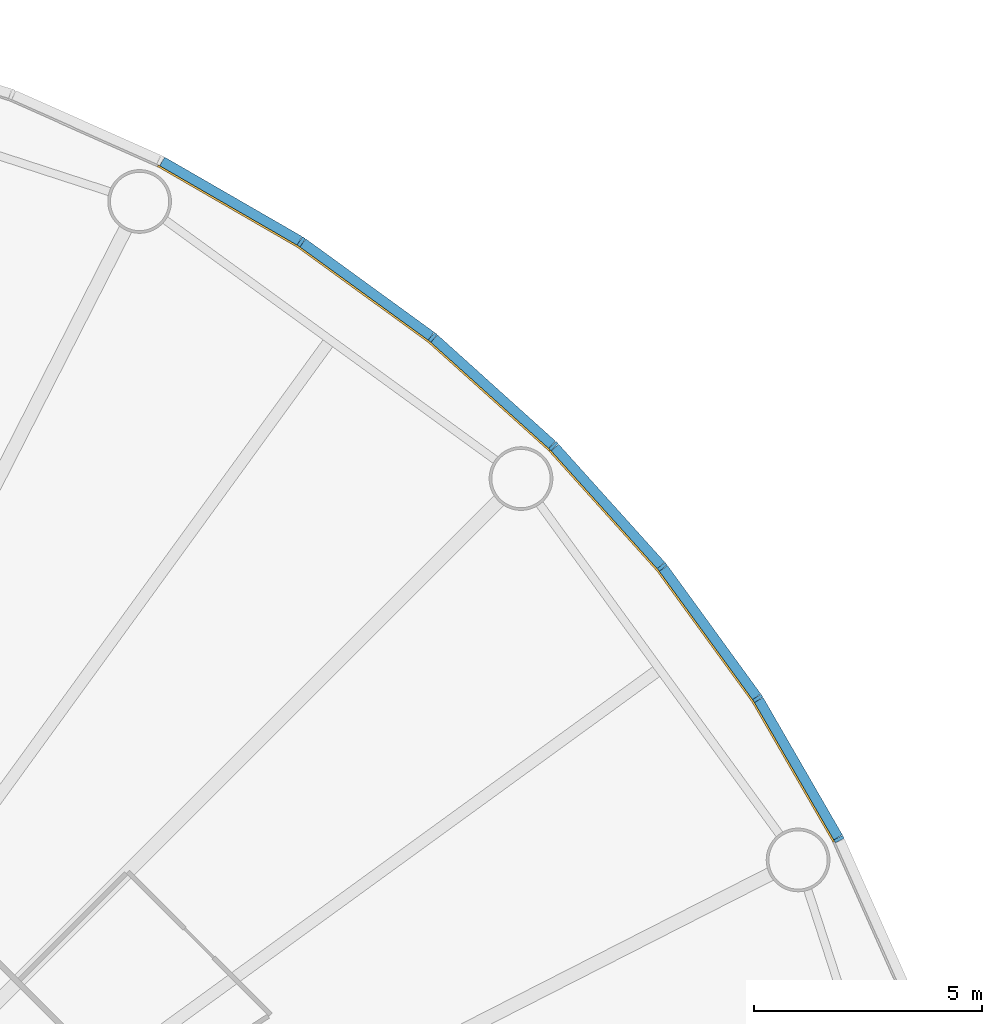
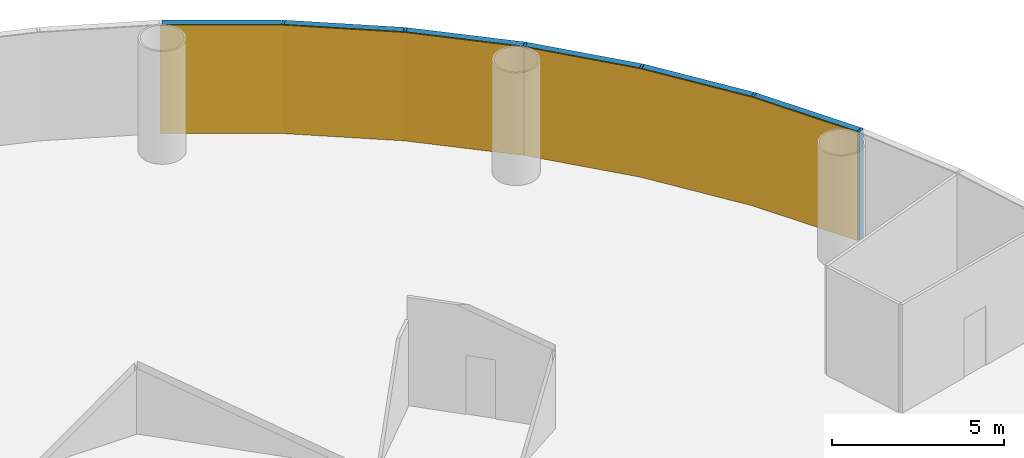
# One storey, part 9 of 12: 12 members, 2 curtain walls.
"""IFC4 building model written with IfcOpenShell, lengths in metres."""

from ifc_helpers import new_model, si_unit, direction, frame, origin, origin_2d, place, context, subcontext, project, spatial, polyline, rectangle, outline, extrude, material, layer, layer_set, material_profile, profile_set, type_object, element, aggregate, save


model = new_model("IFC4")

# Units and contexts
model_context = context("Model", 3, precision=1e-05, world=origin(), true_north=direction((0.0, 1.0)))
body_context = subcontext(model_context, "Body", "Model", "MODEL_VIEW")
ifc_project = project(units=[si_unit("LENGTHUNIT", "METRE"), si_unit("AREAUNIT", "SQUARE_METRE"), si_unit("VOLUMEUNIT", "CUBIC_METRE"), si_unit("PLANEANGLEUNIT", "RADIAN"), si_unit("MASSUNIT", "GRAM", prefix="KILO")], contexts=[model_context])

# Member
ifc_material_1 = material(Name="Anodised aluminium", Category="aluminium")
ifc_material_profile_1 = material_profile(ifc_material_1, rectangle(XDim=0.074951171875, YDim=0.219970703125, at=origin_2d()), Name="Mullion 75 x 220 mm anodised aluminium")
ifc_profile_set_1 = profile_set([ifc_material_profile_1], Name="Anodised aluminium")
member_type_1 = type_object("IfcMemberType", Name="Mullion 75 x 220 mm anodised aluminium", PredefinedType="MULLION", material=ifc_profile_set_1)
site_placement = place(None, origin())
building_placement = place(site_placement, origin())
storey_placement = place(building_placement, frame((0.0, 0.0, 66.0)))
member_1_placement = place(storey_placement, frame((120.392333984375, 95.485595703125, 0.0), z_axis=(0.0, 0.0, 1.0), x_axis=(-0.45399049974, 0.891006524188, 0.0)))
member_1 = element("IfcMember", 1, at=member_1_placement, type_object=member_type_1, Name="MULLION L14-03", PredefinedType="MULLION", context=body_context, shape_type="SweptSolid", body=[
    extrude(rectangle(XDim=0.074951171875, YDim=0.219970703125, at=origin_2d()), origin(), (0.0, 0.0, 1.0), 3.85009765625),
])

member_2_placement = place(storey_placement, frame((118.60693359375, 98.57763671875, 0.0), z_axis=(0.0, 0.0, 1.0), x_axis=(-0.544639035015, 0.838670567945, 0.0)))
member_2 = element("IfcMember", 2, at=member_2_placement, type_object=member_type_1, Name="MULLION L14-04", PredefinedType="MULLION", context=body_context, shape_type="SweptSolid", body=[
    extrude(rectangle(XDim=0.074951171875, YDim=0.219970703125, at=origin_2d()), origin(), (0.0, 0.0, 1.0), 3.85009765625),
])

member_3_placement = place(storey_placement, frame((116.508544921875, 101.466064453125, 0.0), z_axis=(0.0, 0.0, 1.0), x_axis=(-0.62932039105, 0.777145961457, 0.0)))
member_3 = element("IfcMember", 3, at=member_3_placement, type_object=member_type_1, Name="MULLION L14-05", PredefinedType="MULLION", context=body_context, shape_type="SweptSolid", body=[
    extrude(rectangle(XDim=0.074951171875, YDim=0.219970703125, at=origin_2d()), origin(), (0.0, 0.0, 1.0), 3.85009765625),
])

member_4_placement = place(storey_placement, frame((114.119384765625, 104.119384765625, 0.0), z_axis=(0.0, 0.0, 1.0), x_axis=(-0.707106781187, 0.707106781187, 0.0)))
member_4 = element("IfcMember", 4, at=member_4_placement, type_object=member_type_1, Name="MULLION L14-06", PredefinedType="MULLION", context=body_context, shape_type="SweptSolid", body=[
    extrude(rectangle(XDim=0.074951171875, YDim=0.219970703125, at=origin_2d()), origin(), (0.0, 0.0, 1.0), 3.85009765625),
])

member_5_placement = place(storey_placement, frame((111.466064453125, 106.508544921875, 0.0), z_axis=(0.0, 0.0, 1.0), x_axis=(-0.777145961457, 0.62932039105, 0.0)))
member_5 = element("IfcMember", 5, at=member_5_placement, type_object=member_type_1, Name="MULLION L14-07", PredefinedType="MULLION", context=body_context, shape_type="SweptSolid", body=[
    extrude(rectangle(XDim=0.074951171875, YDim=0.219970703125, at=origin_2d()), origin(), (0.0, 0.0, 1.0), 3.85009765625),
])

member_6_placement = place(storey_placement, frame((108.57763671875, 108.60693359375, 0.0), z_axis=(0.0, 0.0, 1.0), x_axis=(-0.838670567945, 0.544639035015, 0.0)))
member_6 = element("IfcMember", 6, at=member_6_placement, type_object=member_type_1, Name="MULLION L14-08", PredefinedType="MULLION", context=body_context, shape_type="SweptSolid", body=[
    extrude(rectangle(XDim=0.074951171875, YDim=0.219970703125, at=origin_2d()), origin(), (0.0, 0.0, 1.0), 3.85009765625),
])

ifc_material_2 = material(Name="Anodised aluminium", Category="aluminium")
ifc_material_profile_2 = material_profile(ifc_material_2, rectangle(XDim=0.219970703125, YDim=0.199951171875, at=origin_2d()), Name="Transom 200 x 220 mm anodised aluminium")
ifc_profile_set_2 = profile_set([ifc_material_profile_2], Name="Anodised aluminium")
member_type_2 = type_object("IfcMemberType", Name="Transom 200 x 220 mm anodised aluminium", PredefinedType="USERDEFINED", material=ifc_profile_set_2)
member_7_placement = place(storey_placement, frame((120.370849609375, 95.523193359375, 3.75), z_axis=(-0.500005538244, 0.866022206254, 0.0), x_axis=(-0.866022206254, -0.500005538244, 0.0)))
member_7 = element("IfcMember", 7, at=member_7_placement, type_object=member_type_2, Name="TRANSOM L14-03", ObjectType="TRANSOM", PredefinedType="USERDEFINED", context=body_context, shape_type="SweptSolid", body=[
    extrude(rectangle(XDim=0.219970703125, YDim=0.199951171875, at=origin_2d()), origin(), (0.0, 0.0, 1.0), 3.48388671875),
])

member_8_placement = place(storey_placement, frame((118.581787109375, 98.61279296875, 3.75), z_axis=(-0.587821627006, 0.80899056535, 0.0), x_axis=(-0.80899056535, -0.587821627006, 0.0)))
member_8 = element("IfcMember", 8, at=member_8_placement, type_object=member_type_2, Name="TRANSOM L14-04", ObjectType="TRANSOM", PredefinedType="USERDEFINED", context=body_context, shape_type="SweptSolid", body=[
    extrude(rectangle(XDim=0.219970703125, YDim=0.199951171875, at=origin_2d()), origin(), (0.0, 0.0, 1.0), 3.48388671875),
])

member_9_placement = place(storey_placement, frame((116.479736328125, 101.498291015625, 3.75), z_axis=(-0.669138930974, 0.743137329876, 0.0), x_axis=(-0.743137329876, -0.669138930974, 0.0)))
member_9 = element("IfcMember", 9, at=member_9_placement, type_object=member_type_2, Name="TRANSOM L14-05", ObjectType="TRANSOM", PredefinedType="USERDEFINED", context=body_context, shape_type="SweptSolid", body=[
    extrude(rectangle(XDim=0.219970703125, YDim=0.199951171875, at=origin_2d()), origin(), (0.0, 0.0, 1.0), 3.484130859375),
])

member_10_placement = place(storey_placement, frame((114.08740234375, 104.1484375, 3.75), z_axis=(-0.743137329876, 0.669138930974, 0.0), x_axis=(-0.669138930974, -0.743137329876, 0.0)))
member_10 = element("IfcMember", 10, at=member_10_placement, type_object=member_type_2, Name="TRANSOM L14-06", ObjectType="TRANSOM", PredefinedType="USERDEFINED", context=body_context, shape_type="SweptSolid", body=[
    extrude(rectangle(XDim=0.219970703125, YDim=0.199951171875, at=origin_2d()), origin(), (0.0, 0.0, 1.0), 3.484130859375),
])

member_11_placement = place(storey_placement, frame((111.43115234375, 106.533935546875, 3.75), z_axis=(-0.80899056535, 0.587821627006, 0.0), x_axis=(-0.587821627006, -0.80899056535, 0.0)))
member_11 = element("IfcMember", 11, at=member_11_placement, type_object=member_type_2, Name="TRANSOM L14-07", ObjectType="TRANSOM", PredefinedType="USERDEFINED", context=body_context, shape_type="SweptSolid", body=[
    extrude(rectangle(XDim=0.219970703125, YDim=0.199951171875, at=origin_2d()), origin(), (0.0, 0.0, 1.0), 3.48388671875),
])

member_12_placement = place(storey_placement, frame((108.540283203125, 108.62890625, 3.75), z_axis=(-0.866022206254, 0.500005538244, 0.0), x_axis=(-0.500005538244, -0.866022206254, 0.0)))
member_12 = element("IfcMember", 12, at=member_12_placement, type_object=member_type_2, Name="TRANSOM L14-08", ObjectType="TRANSOM", PredefinedType="USERDEFINED", context=body_context, shape_type="SweptSolid", body=[
    extrude(rectangle(XDim=0.219970703125, YDim=0.199951171875, at=origin_2d()), origin(), (0.0, 0.0, 1.0), 3.48388671875),
])

# Site, building, storey
site = spatial("IfcSite", under=ifc_project, at=site_placement, CompositionType="ELEMENT")
building = spatial("IfcBuilding", under=site, at=building_placement, Name="Entoto Ring Tower", CompositionType="ELEMENT")
storey = spatial("IfcBuildingStorey", under=building, at=storey_placement, Name="L14", CompositionType="ELEMENT", Elevation=66.0)

# Curtain wall
ifc_material_3 = material(Name="Clear low-iron glass", Category="glass")
ifc_layer = layer(ifc_material_3, 0.0400390625)
ifc_layer_set = layer_set([ifc_layer], Name="Clear low-iron glass")
curtain_wall_type = type_object("IfcCurtainWallType", Name="Curtain wall system CW1 glazing 40 mm", PredefinedType="NOTDEFINED", material=ifc_layer_set)
curtain_wall_1_placement = place(storey_placement, origin())
curtain_wall_1 = element("IfcCurtainWall", 13, at=curtain_wall_1_placement, inside=storey, type_object=curtain_wall_type, Name="CW1 L14-02", PredefinedType="NOTDEFINED", context=body_context, shape_type="SweptSolid", body=[
    extrude(outline(polyline([(120.294189453125, 95.435791015625), (118.514892578125, 98.517822265625), (116.4228515625, 101.39697265625), (114.041748046875, 104.041748046875), (114.013427734375, 104.013427734375), (116.391845703125, 101.37158203125), (118.481201171875, 98.495849609375), (120.258544921875, 95.41748046875), (120.294189453125, 95.435791015625)])), origin(), (0.0, 0.0, 1.0), 3.85009765625),
])

aggregate(curtain_wall_1, [member_1, member_2, member_3, member_7, member_8, member_9])

curtain_wall_2_placement = place(storey_placement, origin())
curtain_wall_2 = element("IfcCurtainWall", 14, at=curtain_wall_2_placement, inside=storey, type_object=curtain_wall_type, Name="CW1 L14-03", PredefinedType="NOTDEFINED", context=body_context, shape_type="SweptSolid", body=[
    extrude(outline(polyline([(114.041748046875, 104.041748046875), (111.39697265625, 106.4228515625), (108.517822265625, 108.514892578125), (105.435791015625, 110.294189453125), (105.41748046875, 110.258544921875), (108.495849609375, 108.481201171875), (111.37158203125, 106.391845703125), (114.013427734375, 104.013427734375), (114.041748046875, 104.041748046875)])), origin(), (0.0, 0.0, 1.0), 3.85009765625),
])

aggregate(curtain_wall_2, [member_4, member_5, member_6, member_10, member_11, member_12])

save(model, "model.ifc")
